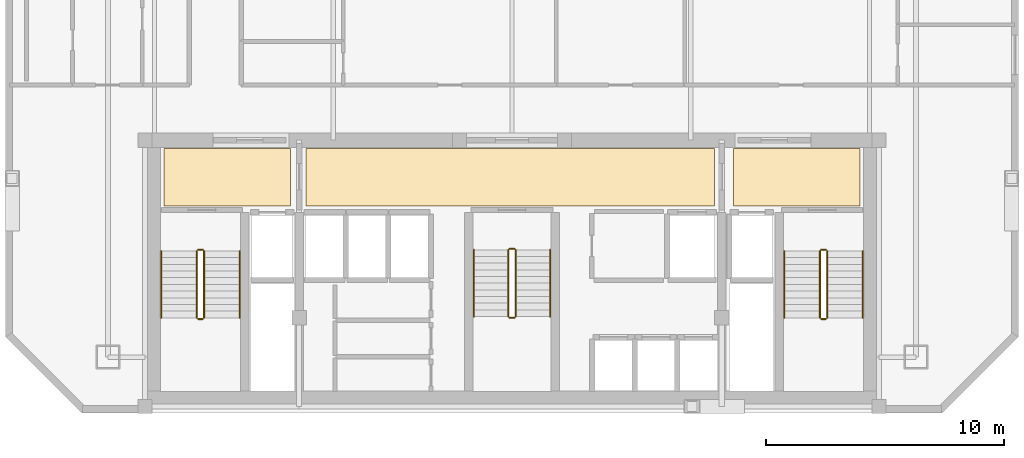
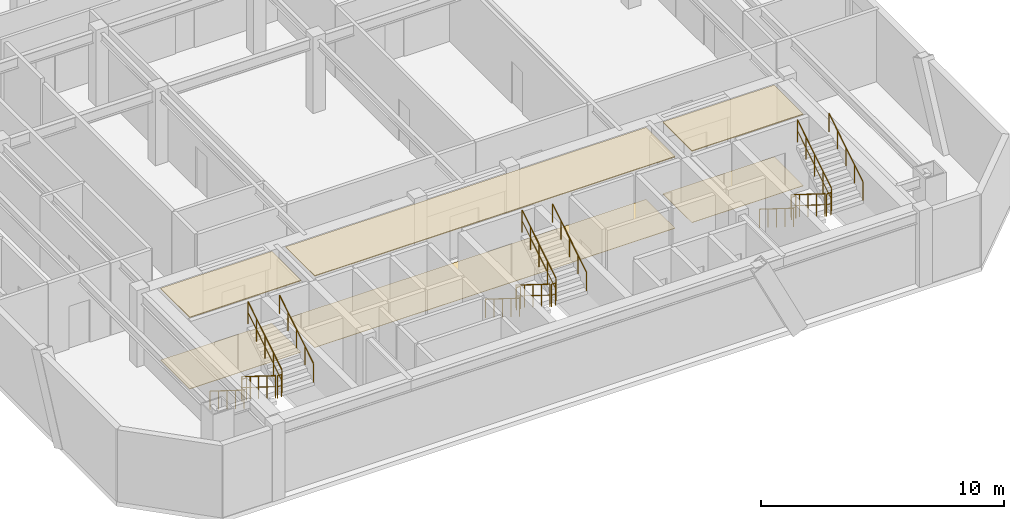
# One storey, part 7 of 7: 18 railings, 6 coverings.
"""IFC4 building model written with IfcOpenShell, lengths in metres."""

from ifc_helpers import new_model, si_unit, direction, frame, origin, origin_2d, place, context, subcontext, project, spatial, polyline, circle, outline, extrude, material, layer, layer_set, type_object, element, save


model = new_model("IFC4")

# Units and contexts
model_context = context("Model", 3, precision=1e-05, world=origin(), true_north=direction((0.0, 1.0)))
body_context = subcontext(model_context, "Body", "Model", "MODEL_VIEW")
ifc_project = project(units=[si_unit("LENGTHUNIT", "METRE"), si_unit("AREAUNIT", "SQUARE_METRE"), si_unit("VOLUMEUNIT", "CUBIC_METRE"), si_unit("PLANEANGLEUNIT", "RADIAN"), si_unit("MASSUNIT", "GRAM", prefix="KILO")], contexts=[model_context])

# Site, building, storey
site_placement = place(None, origin())
site = spatial("IfcSite", under=ifc_project, at=site_placement, CompositionType="ELEMENT")
building_placement = place(site_placement, origin())
building = spatial("IfcBuilding", under=site, at=building_placement, Name="Ventersveld Concourse Tower", CompositionType="ELEMENT")
storey_placement = place(building_placement, frame((0.0, 0.0, 231.10009765625)))
storey = spatial("IfcBuildingStorey", under=building, at=storey_placement, Name="L57", CompositionType="ELEMENT", Elevation=231.10009765625)

# Coverings
ifc_material_1 = material(Name="Mineral-fibre acoustic ceiling tile", Category="gypsum")
ifc_layer_1 = layer(ifc_material_1, 0.0400390625)
ifc_layer_set_1 = layer_set([ifc_layer_1], Name="Mineral-fibre acoustic ceiling tile")
covering_type_1 = type_object("IfcCoveringType", Name="COV-CEIL-ACOUSTIC", PredefinedType="CEILING", material=ifc_layer_set_1)
covering_1_placement = place(storey_placement, frame((0.0, 0.0, 3.58984375)))
element("IfcCovering", 1, at=covering_1_placement, inside=storey, type_object=covering_type_1, Name="L57 North Lift Lobby Acoustic Ceiling", PredefinedType="CEILING", context=body_context, shape_type="SweptSolid", body=[
    extrude(outline(polyline([(20.10009765625, 8.699951171875), (37.25, 8.699951171875), (37.25, 11.10009765625), (20.10009765625, 11.10009765625), (20.10009765625, 8.699951171875)])), origin(), (0.0, 0.0, 1.0), 0.0400390625),
])
covering_2_placement = place(storey_placement, frame((0.0, 0.0, 3.58984375)))
element("IfcCovering", 2, at=covering_2_placement, inside=storey, type_object=covering_type_1, Name="L57 West Firefighting Lobby Acoustic Ceiling", PredefinedType="CEILING", context=body_context, shape_type="SweptSolid", body=[
    extrude(outline(polyline([(14.14990234375, 8.699951171875), (19.449951171875, 8.699951171875), (19.449951171875, 11.10009765625), (14.14990234375, 11.10009765625), (14.14990234375, 8.699951171875)])), origin(), (0.0, 0.0, 1.0), 0.0400390625),
])
covering_3_placement = place(storey_placement, frame((0.0, 0.0, 3.58984375)))
element("IfcCovering", 3, at=covering_3_placement, inside=storey, type_object=covering_type_1, Name="L57 East Firefighting Lobby Acoustic Ceiling", PredefinedType="CEILING", context=body_context, shape_type="SweptSolid", body=[
    extrude(outline(polyline([(38.050048828125, 8.699951171875), (43.35009765625, 8.699951171875), (43.35009765625, 11.10009765625), (38.050048828125, 11.10009765625), (38.050048828125, 8.699951171875)])), origin(), (0.0, 0.0, 1.0), 0.0400390625),
])
ifc_material_2 = material(Name="Polished Highveld granite terrazzo", Category="masonry")
ifc_layer_2 = layer(ifc_material_2, 0.02001953125)
ifc_layer_set_2 = layer_set([ifc_layer_2], Name="Polished Highveld granite terrazzo")
covering_type_2 = type_object("IfcCoveringType", Name="COV-FLOOR-TERRAZZO", PredefinedType="FLOORING", material=ifc_layer_set_2)
covering_4_placement = place(storey_placement, origin())
element("IfcCovering", 4, at=covering_4_placement, inside=storey, type_object=covering_type_2, Name="L57 North Lift Lobby Terrazzo Flooring", PredefinedType="FLOORING", context=body_context, shape_type="SweptSolid", body=[
    extrude(outline(polyline([(20.10009765625, 8.699951171875), (37.25, 8.699951171875), (37.25, 11.10009765625), (20.10009765625, 11.10009765625), (20.10009765625, 8.699951171875)])), origin(), (0.0, 0.0, 1.0), 0.02001953125),
])
covering_5_placement = place(storey_placement, origin())
element("IfcCovering", 5, at=covering_5_placement, inside=storey, type_object=covering_type_2, Name="L57 West Firefighting Lobby Terrazzo Flooring", PredefinedType="FLOORING", context=body_context, shape_type="SweptSolid", body=[
    extrude(outline(polyline([(14.14990234375, 8.699951171875), (19.449951171875, 8.699951171875), (19.449951171875, 11.10009765625), (14.14990234375, 11.10009765625), (14.14990234375, 8.699951171875)])), origin(), (0.0, 0.0, 1.0), 0.02001953125),
])
covering_6_placement = place(storey_placement, origin())
element("IfcCovering", 6, at=covering_6_placement, inside=storey, type_object=covering_type_2, Name="L57 East Firefighting Lobby Terrazzo Flooring", PredefinedType="FLOORING", context=body_context, shape_type="SweptSolid", body=[
    extrude(outline(polyline([(38.050048828125, 8.699951171875), (43.35009765625, 8.699951171875), (43.35009765625, 11.10009765625), (38.050048828125, 11.10009765625), (38.050048828125, 8.699951171875)])), origin(), (0.0, 0.0, 1.0), 0.02001953125),
])

# Railings
ifc_material_3 = material(Name="Brushed stainless steel 316", Category="steel")
railing_type_1 = type_object("IfcRailingType", Name="GD-BAL-115", PredefinedType="GUARDRAIL", material=ifc_material_3)
railing_1_placement = place(storey_placement, frame((15.530029296875, 6.800048828125, 0.1748046875)))
element("IfcRailing", 7, at=railing_1_placement, inside=storey, type_object=railing_type_1, Name="L57 ST-01 stair guard 1", PredefinedType="GUARDRAIL", context=body_context, shape_type="SweptSolid", body=[
    extrude(circle(Radius=0.02392578125, at=origin_2d()), frame((0.0, 0.0, 1.1259765625), z_axis=(0.0, -0.848002457836, 0.529992293815), x_axis=(1.0, 0.0, 0.0)), (0.0, 0.0, 1.0), 3.302001953125),
    extrude(circle(Radius=0.01611328125, at=origin_2d()), frame((0.0, 0.0, 0.574951171875), z_axis=(0.0, -0.848002457836, 0.529992293815), x_axis=(1.0, 0.0, 0.0)), (0.0, 0.0, 1.0), 3.302001953125),
    extrude(circle(Radius=0.02099609375, at=origin_2d()), origin(), (0.0, 0.0, 1.0), 1.101806640625),
    extrude(circle(Radius=0.02099609375, at=origin_2d()), frame((0.0, -0.699951171875, 0.4375)), (0.0, 0.0, 1.0), 1.101806640625),
    extrude(circle(Radius=0.02099609375, at=origin_2d()), frame((0.0, -1.39990234375, 0.875)), (0.0, 0.0, 1.0), 1.101806640625),
    extrude(circle(Radius=0.02099609375, at=origin_2d()), frame((0.0, -2.10009765625, 1.3125)), (0.0, 0.0, 1.0), 1.101806640625),
    extrude(circle(Radius=0.02099609375, at=origin_2d()), frame((0.0, -2.800048828125, 1.75)), (0.0, 0.0, 1.0), 1.101806640625),
])
railing_2_placement = place(storey_placement, frame((15.580078125, 3.949951171875, 1.9248046875)))
element("IfcRailing", 8, at=railing_2_placement, inside=storey, type_object=railing_type_1, Name="L57 ST-01 stair guard 2", PredefinedType="GUARDRAIL", context=body_context, shape_type="SweptSolid", body=[
    extrude(circle(Radius=0.02392578125, at=origin_2d()), frame((0.0, 0.0, 1.1259765625), z_axis=(1.0, 0.0, 0.0), x_axis=(0.0, 1.0, 0.0)), (0.0, 0.0, 1.0), 0.199951171875),
    extrude(circle(Radius=0.01611328125, at=origin_2d()), frame((0.0, 0.0, 0.574951171875), z_axis=(1.0, 0.0, 0.0), x_axis=(0.0, 1.0, 0.0)), (0.0, 0.0, 1.0), 0.199951171875),
    extrude(circle(Radius=0.02099609375, at=origin_2d()), origin(), (0.0, 0.0, 1.0), 1.101806640625),
    extrude(circle(Radius=0.02099609375, at=origin_2d()), frame((0.199951171875, 0.0, 0.0)), (0.0, 0.0, 1.0), 1.101806640625),
])
railing_3_placement = place(storey_placement, frame((15.830078125, 4.0, 2.099853515625)))
element("IfcRailing", 9, at=railing_3_placement, inside=storey, type_object=railing_type_1, Name="L57 ST-01 stair guard 3", PredefinedType="GUARDRAIL", context=body_context, shape_type="SweptSolid", body=[
    extrude(circle(Radius=0.02392578125, at=origin_2d()), frame((0.0, 0.0, 1.1259765625), z_axis=(0.0, 0.848002457836, 0.529992293815), x_axis=(-1.0, 0.0, 0.0)), (0.0, 0.0, 1.0), 3.302001953125),
    extrude(circle(Radius=0.01611328125, at=origin_2d()), frame((0.0, 0.0, 0.574951171875), z_axis=(0.0, 0.848002457836, 0.529992293815), x_axis=(-1.0, 0.0, 0.0)), (0.0, 0.0, 1.0), 3.302001953125),
    extrude(circle(Radius=0.02099609375, at=origin_2d()), origin(), (0.0, 0.0, 1.0), 1.101806640625),
    extrude(circle(Radius=0.02099609375, at=origin_2d()), frame((0.0, 0.699951171875, 0.4375)), (0.0, 0.0, 1.0), 1.101806640625),
    extrude(circle(Radius=0.02099609375, at=origin_2d()), frame((0.0, 1.39990234375, 0.875)), (0.0, 0.0, 1.0), 1.101806640625),
    extrude(circle(Radius=0.02099609375, at=origin_2d()), frame((0.0, 2.10009765625, 1.3125)), (0.0, 0.0, 1.0), 1.101806640625),
    extrude(circle(Radius=0.02099609375, at=origin_2d()), frame((0.0, 2.800048828125, 1.75)), (0.0, 0.0, 1.0), 1.101806640625),
])
railing_4_placement = place(storey_placement, frame((15.580078125, 6.85009765625, 0.0)))
element("IfcRailing", 10, at=railing_4_placement, inside=storey, type_object=railing_type_1, Name="L57 ST-01 stair guard 4", PredefinedType="GUARDRAIL", context=body_context, shape_type="SweptSolid", body=[
    extrude(circle(Radius=0.02392578125, at=origin_2d()), frame((0.0, 0.0, 1.1259765625), z_axis=(1.0, 0.0, 0.0), x_axis=(0.0, 1.0, 0.0)), (0.0, 0.0, 1.0), 0.199951171875),
    extrude(circle(Radius=0.01611328125, at=origin_2d()), frame((0.0, 0.0, 0.574951171875), z_axis=(1.0, 0.0, 0.0), x_axis=(0.0, 1.0, 0.0)), (0.0, 0.0, 1.0), 0.199951171875),
    extrude(circle(Radius=0.02099609375, at=origin_2d()), origin(), (0.0, 0.0, 1.0), 1.101806640625),
    extrude(circle(Radius=0.02099609375, at=origin_2d()), frame((0.199951171875, 0.0, 0.0)), (0.0, 0.0, 1.0), 1.101806640625),
])
railing_5_placement = place(storey_placement, frame((41.669921875, 6.800048828125, 0.1748046875)))
element("IfcRailing", 11, at=railing_5_placement, inside=storey, type_object=railing_type_1, Name="L57 ST-02 stair guard 1", PredefinedType="GUARDRAIL", context=body_context, shape_type="SweptSolid", body=[
    extrude(circle(Radius=0.02392578125, at=origin_2d()), frame((0.0, 0.0, 1.1259765625), z_axis=(0.0, -0.848002457836, 0.529992293815), x_axis=(1.0, 0.0, 0.0)), (0.0, 0.0, 1.0), 3.302001953125),
    extrude(circle(Radius=0.01611328125, at=origin_2d()), frame((0.0, 0.0, 0.574951171875), z_axis=(0.0, -0.848002457836, 0.529992293815), x_axis=(1.0, 0.0, 0.0)), (0.0, 0.0, 1.0), 3.302001953125),
    extrude(circle(Radius=0.02099609375, at=origin_2d()), origin(), (0.0, 0.0, 1.0), 1.101806640625),
    extrude(circle(Radius=0.02099609375, at=origin_2d()), frame((0.0, -0.699951171875, 0.4375)), (0.0, 0.0, 1.0), 1.101806640625),
    extrude(circle(Radius=0.02099609375, at=origin_2d()), frame((0.0, -1.39990234375, 0.875)), (0.0, 0.0, 1.0), 1.101806640625),
    extrude(circle(Radius=0.02099609375, at=origin_2d()), frame((0.0, -2.10009765625, 1.3125)), (0.0, 0.0, 1.0), 1.101806640625),
    extrude(circle(Radius=0.02099609375, at=origin_2d()), frame((0.0, -2.800048828125, 1.75)), (0.0, 0.0, 1.0), 1.101806640625),
])
railing_6_placement = place(storey_placement, frame((41.719970703125, 3.949951171875, 1.9248046875)))
element("IfcRailing", 12, at=railing_6_placement, inside=storey, type_object=railing_type_1, Name="L57 ST-02 stair guard 2", PredefinedType="GUARDRAIL", context=body_context, shape_type="SweptSolid", body=[
    extrude(circle(Radius=0.02392578125, at=origin_2d()), frame((0.0, 0.0, 1.1259765625), z_axis=(1.0, 0.0, 0.0), x_axis=(0.0, 1.0, 0.0)), (0.0, 0.0, 1.0), 0.199951171875),
    extrude(circle(Radius=0.01611328125, at=origin_2d()), frame((0.0, 0.0, 0.574951171875), z_axis=(1.0, 0.0, 0.0), x_axis=(0.0, 1.0, 0.0)), (0.0, 0.0, 1.0), 0.199951171875),
    extrude(circle(Radius=0.02099609375, at=origin_2d()), origin(), (0.0, 0.0, 1.0), 1.101806640625),
    extrude(circle(Radius=0.02099609375, at=origin_2d()), frame((0.199951171875, 0.0, 0.0)), (0.0, 0.0, 1.0), 1.101806640625),
])
railing_7_placement = place(storey_placement, frame((41.969970703125, 4.0, 2.099853515625)))
element("IfcRailing", 13, at=railing_7_placement, inside=storey, type_object=railing_type_1, Name="L57 ST-02 stair guard 3", PredefinedType="GUARDRAIL", context=body_context, shape_type="SweptSolid", body=[
    extrude(circle(Radius=0.02392578125, at=origin_2d()), frame((0.0, 0.0, 1.1259765625), z_axis=(0.0, 0.848002457836, 0.529992293815), x_axis=(-1.0, 0.0, 0.0)), (0.0, 0.0, 1.0), 3.302001953125),
    extrude(circle(Radius=0.01611328125, at=origin_2d()), frame((0.0, 0.0, 0.574951171875), z_axis=(0.0, 0.848002457836, 0.529992293815), x_axis=(-1.0, 0.0, 0.0)), (0.0, 0.0, 1.0), 3.302001953125),
    extrude(circle(Radius=0.02099609375, at=origin_2d()), origin(), (0.0, 0.0, 1.0), 1.101806640625),
    extrude(circle(Radius=0.02099609375, at=origin_2d()), frame((0.0, 0.699951171875, 0.4375)), (0.0, 0.0, 1.0), 1.101806640625),
    extrude(circle(Radius=0.02099609375, at=origin_2d()), frame((0.0, 1.39990234375, 0.875)), (0.0, 0.0, 1.0), 1.101806640625),
    extrude(circle(Radius=0.02099609375, at=origin_2d()), frame((0.0, 2.10009765625, 1.3125)), (0.0, 0.0, 1.0), 1.101806640625),
    extrude(circle(Radius=0.02099609375, at=origin_2d()), frame((0.0, 2.800048828125, 1.75)), (0.0, 0.0, 1.0), 1.101806640625),
])
railing_8_placement = place(storey_placement, frame((41.719970703125, 6.85009765625, 0.0)))
element("IfcRailing", 14, at=railing_8_placement, inside=storey, type_object=railing_type_1, Name="L57 ST-02 stair guard 4", PredefinedType="GUARDRAIL", context=body_context, shape_type="SweptSolid", body=[
    extrude(circle(Radius=0.02392578125, at=origin_2d()), frame((0.0, 0.0, 1.1259765625), z_axis=(1.0, 0.0, 0.0), x_axis=(0.0, 1.0, 0.0)), (0.0, 0.0, 1.0), 0.199951171875),
    extrude(circle(Radius=0.01611328125, at=origin_2d()), frame((0.0, 0.0, 0.574951171875), z_axis=(1.0, 0.0, 0.0), x_axis=(0.0, 1.0, 0.0)), (0.0, 0.0, 1.0), 0.199951171875),
    extrude(circle(Radius=0.02099609375, at=origin_2d()), origin(), (0.0, 0.0, 1.0), 1.101806640625),
    extrude(circle(Radius=0.02099609375, at=origin_2d()), frame((0.199951171875, 0.0, 0.0)), (0.0, 0.0, 1.0), 1.101806640625),
])
railing_9_placement = place(storey_placement, frame((28.60009765625, 6.85009765625, 0.1748046875)))
element("IfcRailing", 15, at=railing_9_placement, inside=storey, type_object=railing_type_1, Name="L57 ST-03 stair guard 1", PredefinedType="GUARDRAIL", context=body_context, shape_type="SweptSolid", body=[
    extrude(circle(Radius=0.02392578125, at=origin_2d()), frame((0.0, 0.0, 1.1259765625), z_axis=(0.0, -0.848002457836, 0.529992293815), x_axis=(1.0, 0.0, 0.0)), (0.0, 0.0, 1.0), 3.302001953125),
    extrude(circle(Radius=0.01611328125, at=origin_2d()), frame((0.0, 0.0, 0.574951171875), z_axis=(0.0, -0.848002457836, 0.529992293815), x_axis=(1.0, 0.0, 0.0)), (0.0, 0.0, 1.0), 3.302001953125),
    extrude(circle(Radius=0.02099609375, at=origin_2d()), origin(), (0.0, 0.0, 1.0), 1.101806640625),
    extrude(circle(Radius=0.02099609375, at=origin_2d()), frame((0.0, -0.699951171875, 0.4375)), (0.0, 0.0, 1.0), 1.101806640625),
    extrude(circle(Radius=0.02099609375, at=origin_2d()), frame((0.0, -1.39990234375, 0.875)), (0.0, 0.0, 1.0), 1.101806640625),
    extrude(circle(Radius=0.02099609375, at=origin_2d()), frame((0.0, -2.10009765625, 1.3125)), (0.0, 0.0, 1.0), 1.101806640625),
    extrude(circle(Radius=0.02099609375, at=origin_2d()), frame((0.0, -2.800048828125, 1.75)), (0.0, 0.0, 1.0), 1.101806640625),
])
railing_10_placement = place(storey_placement, frame((28.64990234375, 4.0, 1.9248046875)))
element("IfcRailing", 16, at=railing_10_placement, inside=storey, type_object=railing_type_1, Name="L57 ST-03 stair guard 2", PredefinedType="GUARDRAIL", context=body_context, shape_type="SweptSolid", body=[
    extrude(circle(Radius=0.02392578125, at=origin_2d()), frame((0.0, 0.0, 1.1259765625), z_axis=(1.0, 0.0, 0.0), x_axis=(0.0, 1.0, 0.0)), (0.0, 0.0, 1.0), 0.2001953125),
    extrude(circle(Radius=0.01611328125, at=origin_2d()), frame((0.0, 0.0, 0.574951171875), z_axis=(1.0, 0.0, 0.0), x_axis=(0.0, 1.0, 0.0)), (0.0, 0.0, 1.0), 0.2001953125),
    extrude(circle(Radius=0.02099609375, at=origin_2d()), origin(), (0.0, 0.0, 1.0), 1.101806640625),
    extrude(circle(Radius=0.02099609375, at=origin_2d()), frame((0.2001953125, 0.0, 0.0)), (0.0, 0.0, 1.0), 1.101806640625),
])
railing_11_placement = place(storey_placement, frame((28.89990234375, 4.050048828125, 2.099853515625)))
element("IfcRailing", 17, at=railing_11_placement, inside=storey, type_object=railing_type_1, Name="L57 ST-03 stair guard 3", PredefinedType="GUARDRAIL", context=body_context, shape_type="SweptSolid", body=[
    extrude(circle(Radius=0.02392578125, at=origin_2d()), frame((0.0, 0.0, 1.1259765625), z_axis=(0.0, 0.848002457836, 0.529992293815), x_axis=(-1.0, 0.0, 0.0)), (0.0, 0.0, 1.0), 3.302001953125),
    extrude(circle(Radius=0.01611328125, at=origin_2d()), frame((0.0, 0.0, 0.574951171875), z_axis=(0.0, 0.848002457836, 0.529992293815), x_axis=(-1.0, 0.0, 0.0)), (0.0, 0.0, 1.0), 3.302001953125),
    extrude(circle(Radius=0.02099609375, at=origin_2d()), origin(), (0.0, 0.0, 1.0), 1.101806640625),
    extrude(circle(Radius=0.02099609375, at=origin_2d()), frame((0.0, 0.699951171875, 0.4375)), (0.0, 0.0, 1.0), 1.101806640625),
    extrude(circle(Radius=0.02099609375, at=origin_2d()), frame((0.0, 1.39990234375, 0.875)), (0.0, 0.0, 1.0), 1.101806640625),
    extrude(circle(Radius=0.02099609375, at=origin_2d()), frame((0.0, 2.10009765625, 1.3125)), (0.0, 0.0, 1.0), 1.101806640625),
    extrude(circle(Radius=0.02099609375, at=origin_2d()), frame((0.0, 2.800048828125, 1.75)), (0.0, 0.0, 1.0), 1.101806640625),
])
railing_12_placement = place(storey_placement, frame((28.64990234375, 6.89990234375, 0.0)))
element("IfcRailing", 18, at=railing_12_placement, inside=storey, type_object=railing_type_1, Name="L57 ST-03 stair guard 4", PredefinedType="GUARDRAIL", context=body_context, shape_type="SweptSolid", body=[
    extrude(circle(Radius=0.02392578125, at=origin_2d()), frame((0.0, 0.0, 1.1259765625), z_axis=(1.0, 0.0, 0.0), x_axis=(0.0, 1.0, 0.0)), (0.0, 0.0, 1.0), 0.2001953125),
    extrude(circle(Radius=0.01611328125, at=origin_2d()), frame((0.0, 0.0, 0.574951171875), z_axis=(1.0, 0.0, 0.0), x_axis=(0.0, 1.0, 0.0)), (0.0, 0.0, 1.0), 0.2001953125),
    extrude(circle(Radius=0.02099609375, at=origin_2d()), origin(), (0.0, 0.0, 1.0), 1.101806640625),
    extrude(circle(Radius=0.02099609375, at=origin_2d()), frame((0.2001953125, 0.0, 0.0)), (0.0, 0.0, 1.0), 1.101806640625),
])
railing_type_2 = type_object("IfcRailingType", Name="HR-RMP-095", PredefinedType="HANDRAIL", material=ifc_material_3)
railing_13_placement = place(storey_placement, frame((14.030029296875, 6.800048828125, 0.1748046875)))
element("IfcRailing", 19, at=railing_13_placement, inside=storey, type_object=railing_type_2, Name="L57 ST-01 stair handrail 1", PredefinedType="HANDRAIL", context=body_context, shape_type="SweptSolid", body=[
    extrude(circle(Radius=0.02392578125, at=origin_2d()), frame((0.0, 0.0, 0.92578125), z_axis=(0.0, -0.848002457836, 0.529992293815), x_axis=(1.0, 0.0, 0.0)), (0.0, 0.0, 1.0), 3.302001953125),
    extrude(circle(Radius=0.02099609375, at=origin_2d()), origin(), (0.0, 0.0, 1.0), 0.90185546875),
    extrude(circle(Radius=0.02099609375, at=origin_2d()), frame((0.0, -0.699951171875, 0.4375)), (0.0, 0.0, 1.0), 0.90185546875),
    extrude(circle(Radius=0.02099609375, at=origin_2d()), frame((0.0, -1.39990234375, 0.875)), (0.0, 0.0, 1.0), 0.90185546875),
    extrude(circle(Radius=0.02099609375, at=origin_2d()), frame((0.0, -2.10009765625, 1.3125)), (0.0, 0.0, 1.0), 0.90185546875),
    extrude(circle(Radius=0.02099609375, at=origin_2d()), frame((0.0, -2.800048828125, 1.75)), (0.0, 0.0, 1.0), 0.90185546875),
])
railing_14_placement = place(storey_placement, frame((17.330078125, 4.0, 2.099853515625)))
element("IfcRailing", 20, at=railing_14_placement, inside=storey, type_object=railing_type_2, Name="L57 ST-01 stair handrail 2", PredefinedType="HANDRAIL", context=body_context, shape_type="SweptSolid", body=[
    extrude(circle(Radius=0.02392578125, at=origin_2d()), frame((0.0, 0.0, 0.92578125), z_axis=(0.0, 0.848002457836, 0.529992293815), x_axis=(-1.0, 0.0, 0.0)), (0.0, 0.0, 1.0), 3.302001953125),
    extrude(circle(Radius=0.02099609375, at=origin_2d()), origin(), (0.0, 0.0, 1.0), 0.90185546875),
    extrude(circle(Radius=0.02099609375, at=origin_2d()), frame((0.0, 0.699951171875, 0.4375)), (0.0, 0.0, 1.0), 0.90185546875),
    extrude(circle(Radius=0.02099609375, at=origin_2d()), frame((0.0, 1.39990234375, 0.875)), (0.0, 0.0, 1.0), 0.90185546875),
    extrude(circle(Radius=0.02099609375, at=origin_2d()), frame((0.0, 2.10009765625, 1.3125)), (0.0, 0.0, 1.0), 0.90185546875),
    extrude(circle(Radius=0.02099609375, at=origin_2d()), frame((0.0, 2.800048828125, 1.75)), (0.0, 0.0, 1.0), 0.90185546875),
])
railing_15_placement = place(storey_placement, frame((40.169921875, 6.800048828125, 0.1748046875)))
element("IfcRailing", 21, at=railing_15_placement, inside=storey, type_object=railing_type_2, Name="L57 ST-02 stair handrail 1", PredefinedType="HANDRAIL", context=body_context, shape_type="SweptSolid", body=[
    extrude(circle(Radius=0.02392578125, at=origin_2d()), frame((0.0, 0.0, 0.92578125), z_axis=(0.0, -0.848002457836, 0.529992293815), x_axis=(1.0, 0.0, 0.0)), (0.0, 0.0, 1.0), 3.302001953125),
    extrude(circle(Radius=0.02099609375, at=origin_2d()), origin(), (0.0, 0.0, 1.0), 0.90185546875),
    extrude(circle(Radius=0.02099609375, at=origin_2d()), frame((0.0, -0.699951171875, 0.4375)), (0.0, 0.0, 1.0), 0.90185546875),
    extrude(circle(Radius=0.02099609375, at=origin_2d()), frame((0.0, -1.39990234375, 0.875)), (0.0, 0.0, 1.0), 0.90185546875),
    extrude(circle(Radius=0.02099609375, at=origin_2d()), frame((0.0, -2.10009765625, 1.3125)), (0.0, 0.0, 1.0), 0.90185546875),
    extrude(circle(Radius=0.02099609375, at=origin_2d()), frame((0.0, -2.800048828125, 1.75)), (0.0, 0.0, 1.0), 0.90185546875),
])
railing_16_placement = place(storey_placement, frame((43.469970703125, 4.0, 2.099853515625)))
element("IfcRailing", 22, at=railing_16_placement, inside=storey, type_object=railing_type_2, Name="L57 ST-02 stair handrail 2", PredefinedType="HANDRAIL", context=body_context, shape_type="SweptSolid", body=[
    extrude(circle(Radius=0.02392578125, at=origin_2d()), frame((0.0, 0.0, 0.92578125), z_axis=(0.0, 0.848002457836, 0.529992293815), x_axis=(-1.0, 0.0, 0.0)), (0.0, 0.0, 1.0), 3.302001953125),
    extrude(circle(Radius=0.02099609375, at=origin_2d()), origin(), (0.0, 0.0, 1.0), 0.90185546875),
    extrude(circle(Radius=0.02099609375, at=origin_2d()), frame((0.0, 0.699951171875, 0.4375)), (0.0, 0.0, 1.0), 0.90185546875),
    extrude(circle(Radius=0.02099609375, at=origin_2d()), frame((0.0, 1.39990234375, 0.875)), (0.0, 0.0, 1.0), 0.90185546875),
    extrude(circle(Radius=0.02099609375, at=origin_2d()), frame((0.0, 2.10009765625, 1.3125)), (0.0, 0.0, 1.0), 0.90185546875),
    extrude(circle(Radius=0.02099609375, at=origin_2d()), frame((0.0, 2.800048828125, 1.75)), (0.0, 0.0, 1.0), 0.90185546875),
])
railing_17_placement = place(storey_placement, frame((27.14990234375, 6.85009765625, 0.1748046875)))
element("IfcRailing", 23, at=railing_17_placement, inside=storey, type_object=railing_type_2, Name="L57 ST-03 stair handrail 1", PredefinedType="HANDRAIL", context=body_context, shape_type="SweptSolid", body=[
    extrude(circle(Radius=0.02392578125, at=origin_2d()), frame((0.0, 0.0, 0.92578125), z_axis=(0.0, -0.848002457836, 0.529992293815), x_axis=(1.0, 0.0, 0.0)), (0.0, 0.0, 1.0), 3.302001953125),
    extrude(circle(Radius=0.02099609375, at=origin_2d()), origin(), (0.0, 0.0, 1.0), 0.90185546875),
    extrude(circle(Radius=0.02099609375, at=origin_2d()), frame((0.0, -0.699951171875, 0.4375)), (0.0, 0.0, 1.0), 0.90185546875),
    extrude(circle(Radius=0.02099609375, at=origin_2d()), frame((0.0, -1.39990234375, 0.875)), (0.0, 0.0, 1.0), 0.90185546875),
    extrude(circle(Radius=0.02099609375, at=origin_2d()), frame((0.0, -2.10009765625, 1.3125)), (0.0, 0.0, 1.0), 0.90185546875),
    extrude(circle(Radius=0.02099609375, at=origin_2d()), frame((0.0, -2.800048828125, 1.75)), (0.0, 0.0, 1.0), 0.90185546875),
])
railing_18_placement = place(storey_placement, frame((30.35009765625, 4.050048828125, 2.099853515625)))
element("IfcRailing", 24, at=railing_18_placement, inside=storey, type_object=railing_type_2, Name="L57 ST-03 stair handrail 2", PredefinedType="HANDRAIL", context=body_context, shape_type="SweptSolid", body=[
    extrude(circle(Radius=0.02392578125, at=origin_2d()), frame((0.0, 0.0, 0.92578125), z_axis=(0.0, 0.848002457836, 0.529992293815), x_axis=(-1.0, 0.0, 0.0)), (0.0, 0.0, 1.0), 3.302001953125),
    extrude(circle(Radius=0.02099609375, at=origin_2d()), origin(), (0.0, 0.0, 1.0), 0.90185546875),
    extrude(circle(Radius=0.02099609375, at=origin_2d()), frame((0.0, 0.699951171875, 0.4375)), (0.0, 0.0, 1.0), 0.90185546875),
    extrude(circle(Radius=0.02099609375, at=origin_2d()), frame((0.0, 1.39990234375, 0.875)), (0.0, 0.0, 1.0), 0.90185546875),
    extrude(circle(Radius=0.02099609375, at=origin_2d()), frame((0.0, 2.10009765625, 1.3125)), (0.0, 0.0, 1.0), 0.90185546875),
    extrude(circle(Radius=0.02099609375, at=origin_2d()), frame((0.0, 2.800048828125, 1.75)), (0.0, 0.0, 1.0), 0.90185546875),
])

save(model, "model.ifc")
